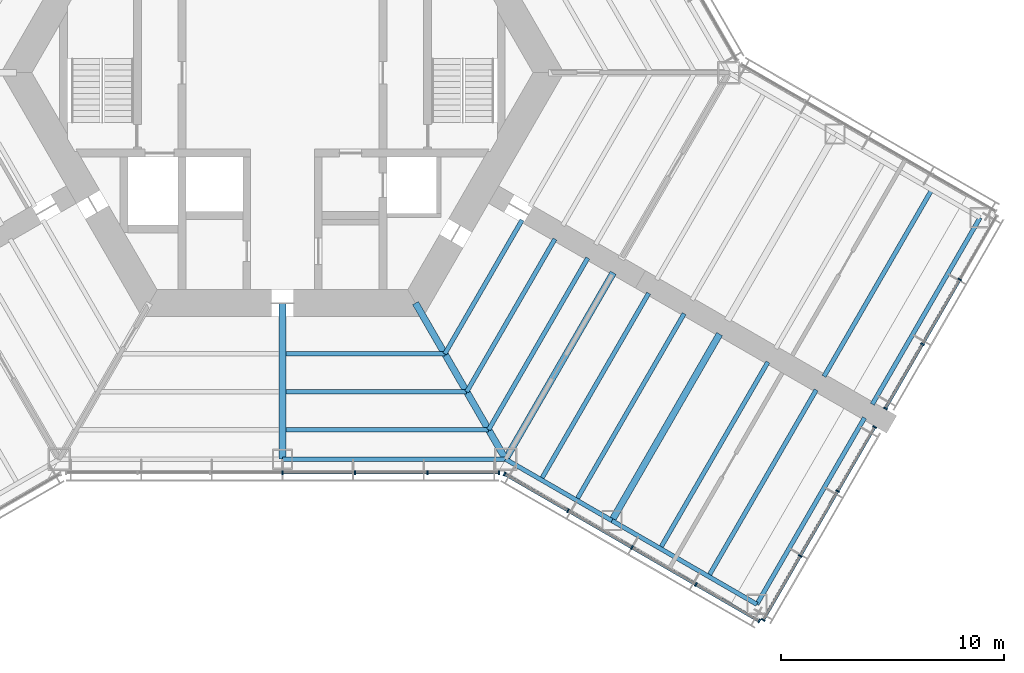
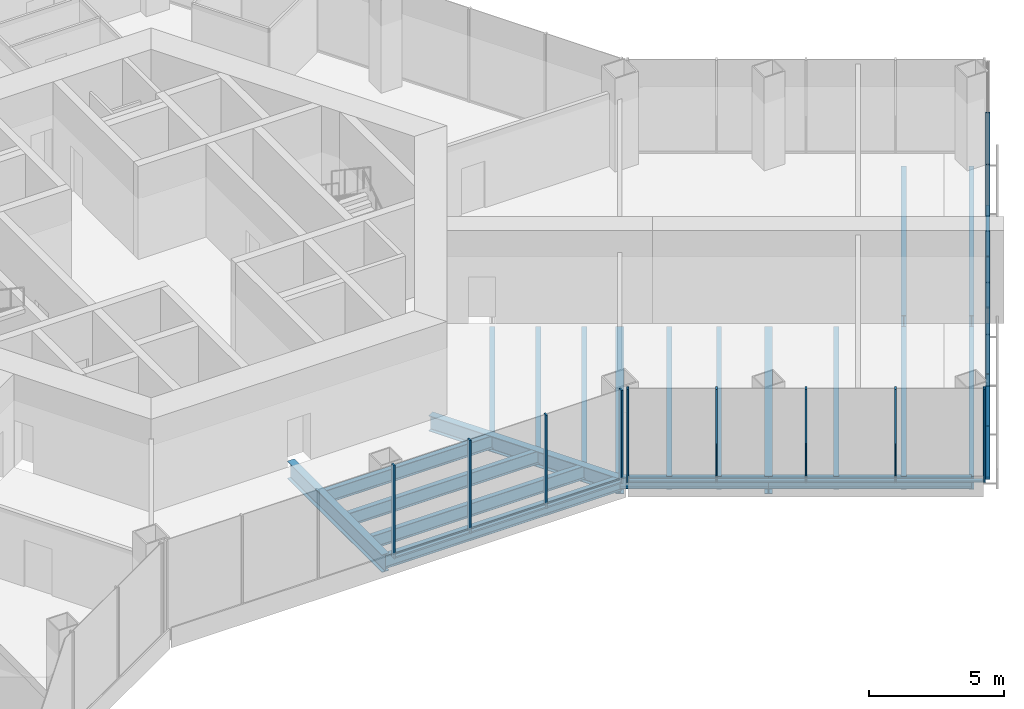
# One storey, part 4 of 16: 28 members, 20 beams, 4 elements without a shape of their own.
"""IFC4 building model written with IfcOpenShell, lengths in metres."""

from ifc_helpers import new_model, si_unit, direction, frame, origin, origin_2d, place, context, subcontext, project, spatial, rectangle, i_section, extrude, material, material_profile, profile_set, type_object, element, aggregate, save


model = new_model("IFC4")

# Units and contexts
model_context = context("Model", 3, precision=1e-05, world=origin(), true_north=direction((0.0, 1.0)))
body_context = subcontext(model_context, "Body", "Model", "MODEL_VIEW")
ifc_project = project(units=[si_unit("LENGTHUNIT", "METRE"), si_unit("AREAUNIT", "SQUARE_METRE"), si_unit("VOLUMEUNIT", "CUBIC_METRE"), si_unit("PLANEANGLEUNIT", "RADIAN"), si_unit("MASSUNIT", "GRAM", prefix="KILO")], contexts=[model_context])

# Site, building, storey
site_placement = place(None, origin())
site = spatial("IfcSite", under=ifc_project, at=site_placement, CompositionType="ELEMENT")
building_placement = place(site_placement, origin())
building = spatial("IfcBuilding", under=site, at=building_placement, Name="Kasaneha Research Tower", CompositionType="ELEMENT")
storey_placement = place(building_placement, frame((0.0, 0.0, 18.39990234375)))
storey = spatial("IfcBuildingStorey", under=building, at=storey_placement, Name="L05", CompositionType="ELEMENT", Elevation=18.39990234375)

# Beams
ifc_material_1 = material(Name="Steel SN490B", Category="steel")
ifc_material_profile_1 = material_profile(ifc_material_1, i_section(OverallWidth=0.199951171875, OverallDepth=0.60009765625, WebThickness=0.010986328125, FlangeThickness=0.01708984375, FilletRadius=0.012939453125, at=origin_2d()), Name="H-600x200x11x17")
ifc_profile_set_1 = profile_set([ifc_material_profile_1], Name="Steel SN490B")
beam_type_1 = type_object("IfcBeamType", Name="B1-1 secondary beam H-600x200x11x17", PredefinedType="JOIST", material=ifc_profile_set_1)
beam_1_placement = place(storey_placement, frame((7.274658203125, -12.60009765625, -0.5), z_axis=(-1.0, 0.0, 0.0), x_axis=(0.0, -1.0, 0.0)))
element("IfcBeam", 1, at=beam_1_placement, inside=storey, type_object=beam_type_1, Name="Secondary beam RS270R1 L05", PredefinedType="JOIST", context=body_context, shape_type="SweptSolid", body=[
    extrude(i_section(OverallWidth=0.199951171875, OverallDepth=0.60009765625, WebThickness=0.010986328125, FlangeThickness=0.01708984375, FilletRadius=0.012939453125, at=origin_2d()), origin(), (0.0, 0.0, 1.0), 7.124755859375),
])
beam_2_placement = place(storey_placement, frame((8.256103515625, -14.300048828125, -0.5), z_axis=(-1.0, 0.0, 0.0), x_axis=(0.0, -1.0, 0.0)))
element("IfcBeam", 2, at=beam_2_placement, inside=storey, type_object=beam_type_1, Name="Secondary beam RS270R2 L05", PredefinedType="JOIST", context=body_context, shape_type="SweptSolid", body=[
    extrude(i_section(OverallWidth=0.199951171875, OverallDepth=0.60009765625, WebThickness=0.010986328125, FlangeThickness=0.01708984375, FilletRadius=0.012939453125, at=origin_2d()), origin(), (0.0, 0.0, 1.0), 8.106201171875),
])
beam_3_placement = place(storey_placement, frame((9.237548828125, -16.0, -0.5), z_axis=(-1.0, 0.0, 0.0), x_axis=(0.0, -1.0, 0.0)))
element("IfcBeam", 3, at=beam_3_placement, inside=storey, type_object=beam_type_1, Name="Secondary beam RS270R3 L05", PredefinedType="JOIST", context=body_context, shape_type="SweptSolid", body=[
    extrude(i_section(OverallWidth=0.199951171875, OverallDepth=0.60009765625, WebThickness=0.010986328125, FlangeThickness=0.01708984375, FilletRadius=0.012939453125, at=origin_2d()), origin(), (0.0, 0.0, 1.0), 9.087646484375),
])
beam_4_placement = place(storey_placement, frame((7.274658203125, -12.60009765625, -0.5), z_axis=(0.499972710878, 0.866041158593, 0.0), x_axis=(-0.866041158593, 0.499972710878, 0.0)))
element("IfcBeam", 4, at=beam_4_placement, inside=storey, type_object=beam_type_1, Name="Secondary beam RS330L1 L05", PredefinedType="JOIST", context=body_context, shape_type="SweptSolid", body=[
    extrude(i_section(OverallWidth=0.199951171875, OverallDepth=0.60009765625, WebThickness=0.010986328125, FlangeThickness=0.01708984375, FilletRadius=0.012939453125, at=origin_2d()), origin(), (0.0, 0.0, 1.0), 6.9248046875),
])
beam_5_placement = place(storey_placement, frame((8.256103515625, -14.300048828125, -0.5), z_axis=(0.500004902938, 0.866022573054, 0.0), x_axis=(-0.866022573054, 0.500004902938, 0.0)))
element("IfcBeam", 5, at=beam_5_placement, inside=storey, type_object=beam_type_1, Name="Secondary beam RS330L2 L05", PredefinedType="JOIST", context=body_context, shape_type="SweptSolid", body=[
    extrude(i_section(OverallWidth=0.199951171875, OverallDepth=0.60009765625, WebThickness=0.010986328125, FlangeThickness=0.01708984375, FilletRadius=0.012939453125, at=origin_2d()), origin(), (0.0, 0.0, 1.0), 7.90625),
])
beam_6_placement = place(storey_placement, frame((9.237548828125, -16.0, -0.5), z_axis=(0.500009382636, 0.866019986649, 0.0), x_axis=(-0.866019986649, 0.500009382636, 0.0)))
element("IfcBeam", 6, at=beam_6_placement, inside=storey, type_object=beam_type_1, Name="Secondary beam RS330L3 L05", PredefinedType="JOIST", context=body_context, shape_type="SweptSolid", body=[
    extrude(i_section(OverallWidth=0.199951171875, OverallDepth=0.60009765625, WebThickness=0.010986328125, FlangeThickness=0.01708984375, FilletRadius=0.012939453125, at=origin_2d()), origin(), (0.0, 0.0, 1.0), 8.887451171875),
])
ifc_material_2 = material(Name="Steel SN490B", Category="steel")
ifc_material_profile_2 = material_profile(ifc_material_2, i_section(OverallWidth=0.198974609375, OverallDepth=0.595947265625, WebThickness=0.010009765625, FlangeThickness=0.014892578125, FilletRadius=0.012939453125, at=origin_2d()), Name="H-596x199x10x15")
ifc_profile_set_2 = profile_set([ifc_material_profile_2], Name="Steel SN490B")
beam_type_2 = type_object("IfcBeamType", Name="B2-1 secondary beam H-596x199x10x15", PredefinedType="JOIST", material=ifc_profile_set_2)
for number, where, z_axis, x_axis, name in (
    (7, (11.587646484375, -18.237060546875, -0.497802734375), (0.50000569793, 0.866022114058, 0.0), (-0.866022114058, 0.50000569793, 0.0), "Secondary beam WBCP1 L05"),
    (8, (13.175537109375, -19.15380859375, -0.497802734375), (0.499994742786, 0.866028439017, 0.0), (-0.866028439017, 0.499994742786, 0.0), "Secondary beam WBCP2 L05"),
    (9, (16.92822265625, -21.320556640625, -0.497802734375), (0.499994742786, 0.866028439017, 0.0), (-0.866028439017, 0.499994742786, 0.0), "Secondary beam WBCP3 L05"),
    (10, (19.09326171875, -22.570556640625, -0.497802734375), (0.499994742786, 0.866028439017, 0.0), (-0.866028439017, 0.499994742786, 0.0), "Secondary beam WBCP4 L05"),
    (11, (29.09326171875, -5.25, -0.497802734375), (-0.499994742786, -0.866028439017, 0.0), (0.866028439017, -0.499994742786, 0.0), "Secondary beam WBCN4 L05"),
):
    element("IfcBeam", number, at=place(storey_placement, frame(where, z_axis=z_axis, x_axis=x_axis)), inside=storey, type_object=beam_type_2, Name=name, PredefinedType="JOIST", context=body_context, shape_type="SweptSolid", body=[
        extrude(i_section(OverallWidth=0.198974609375, OverallDepth=0.595947265625, WebThickness=0.010009765625, FlangeThickness=0.014892578125, FilletRadius=0.012939453125, at=origin_2d()), origin(), (0.0, 0.0, 1.0), 9.64990234375),
    ])

# Curtain wall, members
ifc_material_3 = material(Name="Glass and aluminium", Category="aluminium")
curtain_wall_type = type_object("IfcCurtainWallType", Name="Wet laboratory curtain wall", PredefinedType="USERDEFINED", material=ifc_material_3)
curtain_wall_1_placement = place(storey_placement, origin())
curtain_wall_1 = element("IfcCurtainWall", 12, at=curtain_wall_1_placement, inside=storey, type_object=curtain_wall_type, Name="CW-L1 L05 run 02a", ObjectType="UNITISED CURTAIN WALL", PredefinedType="USERDEFINED")
ifc_material_4 = material(Name="Aluminium 6063-T6", Category="aluminium")
ifc_material_profile_3 = material_profile(ifc_material_4, rectangle(XDim=0.06494140625, YDim=0.179931640625, at=origin_2d()), Name="CW-L1 mullion 65x180")
ifc_profile_set_3 = profile_set([ifc_material_profile_3], Name="Aluminium 6063-T6")
member_type_1 = type_object("IfcMemberType", Name="CW-L1 mullion", PredefinedType="MULLION", material=ifc_profile_set_3)
member_1_placement = place(storey_placement, frame((0.0, -17.92041015625, 0.0), z_axis=(0.0, 0.0, 1.0), x_axis=(1.0, 0.0, 0.0)))
member_1 = element("IfcMember", 13, at=member_1_placement, type_object=member_type_1, Name="CW-L1 mullion 4", PredefinedType="MULLION", context=body_context, shape_type="SweptSolid", body=[
    extrude(rectangle(XDim=0.06494140625, YDim=0.179931640625, at=origin_2d()), origin(), (0.0, 0.0, 1.0), 4.2001953125),
])
member_2_placement = place(storey_placement, frame((3.246337890625, -17.92041015625, 0.0), z_axis=(0.0, 0.0, 1.0), x_axis=(1.0, 0.0, 0.0)))
member_2 = element("IfcMember", 14, at=member_2_placement, type_object=member_type_1, Name="CW-L1 mullion 5", PredefinedType="MULLION", context=body_context, shape_type="SweptSolid", body=[
    extrude(rectangle(XDim=0.06494140625, YDim=0.179931640625, at=origin_2d()), origin(), (0.0, 0.0, 1.0), 4.2001953125),
])
member_3_placement = place(storey_placement, frame((6.492919921875, -17.92041015625, 0.0), z_axis=(0.0, 0.0, 1.0), x_axis=(1.0, 0.0, 0.0)))
member_3 = element("IfcMember", 15, at=member_3_placement, type_object=member_type_1, Name="CW-L1 mullion 6", PredefinedType="MULLION", context=body_context, shape_type="SweptSolid", body=[
    extrude(rectangle(XDim=0.06494140625, YDim=0.179931640625, at=origin_2d()), origin(), (0.0, 0.0, 1.0), 4.2001953125),
])
member_4_placement = place(storey_placement, frame((9.706787109375, -17.92041015625, 0.0), z_axis=(0.0, 0.0, 1.0), x_axis=(1.0, 0.0, 0.0)))
member_4 = element("IfcMember", 16, at=member_4_placement, type_object=member_type_1, Name="CW-L1 mullion 7", PredefinedType="MULLION", context=body_context, shape_type="SweptSolid", body=[
    extrude(rectangle(XDim=0.06494140625, YDim=0.179931640625, at=origin_2d()), origin(), (0.0, 0.0, 1.0), 4.2001953125),
])

curtain_wall_2_placement = place(storey_placement, origin())
curtain_wall_2 = element("IfcCurtainWall", 17, at=curtain_wall_2_placement, inside=storey, type_object=curtain_wall_type, Name="CW-L1 L05 run 03a", ObjectType="UNITISED CURTAIN WALL", PredefinedType="USERDEFINED")
member_5_placement = place(storey_placement, frame((9.953857421875, -17.98681640625, 0.0), z_axis=(0.0, 0.0, 1.0), x_axis=(0.866025411464, -0.499999986699, 0.0)))
member_5 = element("IfcMember", 18, at=member_5_placement, type_object=member_type_1, Name="CW-L1 mullion 1", PredefinedType="MULLION", context=body_context, shape_type="SweptSolid", body=[
    extrude(rectangle(XDim=0.06494140625, YDim=0.179931640625, at=origin_2d()), origin(), (0.0, 0.0, 1.0), 4.2001953125),
])
member_6_placement = place(storey_placement, frame((12.792236328125, -19.62548828125, 0.0), z_axis=(0.0, 0.0, 1.0), x_axis=(0.866025411464, -0.499999986699, 0.0)))
member_6 = element("IfcMember", 19, at=member_6_placement, type_object=member_type_1, Name="CW-L1 mullion 2", PredefinedType="MULLION", context=body_context, shape_type="SweptSolid", body=[
    extrude(rectangle(XDim=0.06494140625, YDim=0.179931640625, at=origin_2d()), origin(), (0.0, 0.0, 1.0), 4.2001953125),
])
member_7_placement = place(storey_placement, frame((15.65869140625, -21.2802734375, 0.0), z_axis=(0.0, 0.0, 1.0), x_axis=(0.866025411464, -0.499999986699, 0.0)))
member_7 = element("IfcMember", 20, at=member_7_placement, type_object=member_type_1, Name="CW-L1 mullion 3", PredefinedType="MULLION", context=body_context, shape_type="SweptSolid", body=[
    extrude(rectangle(XDim=0.06494140625, YDim=0.179931640625, at=origin_2d()), origin(), (0.0, 0.0, 1.0), 4.2001953125),
])
member_8_placement = place(storey_placement, frame((18.52490234375, -22.935302734375, 0.0), z_axis=(0.0, 0.0, 1.0), x_axis=(0.866025411464, -0.499999986699, 0.0)))
member_8 = element("IfcMember", 21, at=member_8_placement, type_object=member_type_1, Name="CW-L1 mullion 4", PredefinedType="MULLION", context=body_context, shape_type="SweptSolid", body=[
    extrude(rectangle(XDim=0.06494140625, YDim=0.179931640625, at=origin_2d()), origin(), (0.0, 0.0, 1.0), 4.2001953125),
])
member_9_placement = place(storey_placement, frame((21.36328125, -24.573974609375, 0.0), z_axis=(0.0, 0.0, 1.0), x_axis=(0.866025411464, -0.499999986699, 0.0)))
member_9 = element("IfcMember", 22, at=member_9_placement, type_object=member_type_1, Name="CW-L1 mullion 5", PredefinedType="MULLION", context=body_context, shape_type="SweptSolid", body=[
    extrude(rectangle(XDim=0.06494140625, YDim=0.179931640625, at=origin_2d()), origin(), (0.0, 0.0, 1.0), 4.2001953125),
])

curtain_wall_3_placement = place(storey_placement, origin())
curtain_wall_3 = element("IfcCurtainWall", 23, at=curtain_wall_3_placement, inside=storey, type_object=curtain_wall_type, Name="CW-L1 L05 run 04a", ObjectType="UNITISED CURTAIN WALL", PredefinedType="USERDEFINED")
member_10_placement = place(storey_placement, frame((21.544189453125, -24.525390625, 0.0), z_axis=(0.0, 0.0, 1.0), x_axis=(0.500000011442, 0.866025397178, 0.0)))
member_10 = element("IfcMember", 24, at=member_10_placement, type_object=member_type_1, Name="CW-L1 mullion 1", PredefinedType="MULLION", context=body_context, shape_type="SweptSolid", body=[
    extrude(rectangle(XDim=0.06494140625, YDim=0.179931640625, at=origin_2d()), origin(), (0.0, 0.0, 1.0), 4.2001953125),
])
member_11_placement = place(storey_placement, frame((23.202880859375, -21.65234375, 0.0), z_axis=(0.0, 0.0, 1.0), x_axis=(0.500000011442, 0.866025397178, 0.0)))
member_11 = element("IfcMember", 25, at=member_11_placement, type_object=member_type_1, Name="CW-L1 mullion 2", PredefinedType="MULLION", context=body_context, shape_type="SweptSolid", body=[
    extrude(rectangle(XDim=0.06494140625, YDim=0.179931640625, at=origin_2d()), origin(), (0.0, 0.0, 1.0), 4.2001953125),
])
member_12_placement = place(storey_placement, frame((24.8779296875, -18.751220703125, 0.0), z_axis=(0.0, 0.0, 1.0), x_axis=(0.500000011442, 0.866025397178, 0.0)))
member_12 = element("IfcMember", 26, at=member_12_placement, type_object=member_type_1, Name="CW-L1 mullion 3", PredefinedType="MULLION", context=body_context, shape_type="SweptSolid", body=[
    extrude(rectangle(XDim=0.06494140625, YDim=0.179931640625, at=origin_2d()), origin(), (0.0, 0.0, 1.0), 4.2001953125),
])
member_13_placement = place(storey_placement, frame((26.53662109375, -15.878173828125, 0.0), z_axis=(0.0, 0.0, 1.0), x_axis=(0.500000011442, 0.866025397178, 0.0)))
member_13 = element("IfcMember", 27, at=member_13_placement, type_object=member_type_1, Name="CW-L1 mullion 4", PredefinedType="MULLION", context=body_context, shape_type="SweptSolid", body=[
    extrude(rectangle(XDim=0.06494140625, YDim=0.179931640625, at=origin_2d()), origin(), (0.0, 0.0, 1.0), 4.2001953125),
])

curtain_wall_4_placement = place(storey_placement, origin())
curtain_wall_4 = element("IfcCurtainWall", 28, at=curtain_wall_4_placement, inside=storey, type_object=curtain_wall_type, Name="CW-L1 L05 run 05a", ObjectType="UNITISED CURTAIN WALL", PredefinedType="USERDEFINED")
member_14_placement = place(storey_placement, frame((27.019287109375, -15.04248046875, 0.0), z_axis=(0.0, 0.0, 1.0), x_axis=(0.500000011442, 0.866025397178, 0.0)))
member_14 = element("IfcMember", 29, at=member_14_placement, type_object=member_type_1, Name="CW-L1 mullion 1", PredefinedType="MULLION", context=body_context, shape_type="SweptSolid", body=[
    extrude(rectangle(XDim=0.06494140625, YDim=0.179931640625, at=origin_2d()), origin(), (0.0, 0.0, 1.0), 4.2001953125),
])
member_15_placement = place(storey_placement, frame((28.677978515625, -12.16943359375, 0.0), z_axis=(0.0, 0.0, 1.0), x_axis=(0.500000011442, 0.866025397178, 0.0)))
member_15 = element("IfcMember", 30, at=member_15_placement, type_object=member_type_1, Name="CW-L1 mullion 2", PredefinedType="MULLION", context=body_context, shape_type="SweptSolid", body=[
    extrude(rectangle(XDim=0.06494140625, YDim=0.179931640625, at=origin_2d()), origin(), (0.0, 0.0, 1.0), 4.2001953125),
])
member_16_placement = place(storey_placement, frame((30.35302734375, -9.26806640625, 0.0), z_axis=(0.0, 0.0, 1.0), x_axis=(0.500000011442, 0.866025397178, 0.0)))
member_16 = element("IfcMember", 31, at=member_16_placement, type_object=member_type_1, Name="CW-L1 mullion 3", PredefinedType="MULLION", context=body_context, shape_type="SweptSolid", body=[
    extrude(rectangle(XDim=0.06494140625, YDim=0.179931640625, at=origin_2d()), origin(), (0.0, 0.0, 1.0), 4.2001953125),
])

# Member
ifc_material_5 = material(Name="Aluminium 6063-T6", Category="aluminium")
ifc_material_profile_4 = material_profile(ifc_material_5, rectangle(XDim=0.139892578125, YDim=0.06494140625, at=origin_2d()), Name="CW-L1 transom 140x65")
ifc_profile_set_4 = profile_set([ifc_material_profile_4], Name="Aluminium 6063-T6")
member_type_2 = type_object("IfcMemberType", Name="CW-L1 transom", PredefinedType="USERDEFINED", material=ifc_profile_set_4)
member_17_placement = place(storey_placement, frame((0.032470703125, -17.92041015625, 0.03271484375), z_axis=(1.0, 0.0, 0.0), x_axis=(0.0, 1.0, 0.0)))
member_17 = element("IfcMember", 32, at=member_17_placement, type_object=member_type_2, Name="CW-L1 transom 4", ObjectType="TRANSOM", PredefinedType="USERDEFINED", context=body_context, shape_type="SweptSolid", body=[
    extrude(rectangle(XDim=0.139892578125, YDim=0.06494140625, at=origin_2d()), origin(), (0.0, 0.0, 1.0), 3.181396484375),
])

member_18_placement = place(storey_placement, frame((3.27880859375, -17.92041015625, 0.03271484375), z_axis=(1.0, 0.0, 0.0), x_axis=(0.0, 1.0, 0.0)))
member_18 = element("IfcMember", 33, at=member_18_placement, type_object=member_type_2, Name="CW-L1 transom 5", ObjectType="TRANSOM", PredefinedType="USERDEFINED", context=body_context, shape_type="SweptSolid", body=[
    extrude(rectangle(XDim=0.139892578125, YDim=0.06494140625, at=origin_2d()), origin(), (0.0, 0.0, 1.0), 3.181396484375),
])

member_19_placement = place(storey_placement, frame((6.525390625, -17.92041015625, 0.03271484375), z_axis=(1.0, 0.0, 0.0), x_axis=(0.0, 1.0, 0.0)))
member_19 = element("IfcMember", 34, at=member_19_placement, type_object=member_type_2, Name="CW-L1 transom 6", ObjectType="TRANSOM", PredefinedType="USERDEFINED", context=body_context, shape_type="SweptSolid", body=[
    extrude(rectangle(XDim=0.139892578125, YDim=0.06494140625, at=origin_2d()), origin(), (0.0, 0.0, 1.0), 3.14892578125),
])

aggregate(curtain_wall_1, [member_1, member_2, member_3, member_4, member_17, member_18, member_19])

member_20_placement = place(storey_placement, frame((9.982177734375, -18.0029296875, 0.03271484375), z_axis=(0.866022320763, -0.500005339912, 0.0), x_axis=(0.500005339912, 0.866022320763, 0.0)))
member_20 = element("IfcMember", 35, at=member_20_placement, type_object=member_type_2, Name="CW-L1 transom 1", ObjectType="TRANSOM", PredefinedType="USERDEFINED", context=body_context, shape_type="SweptSolid", body=[
    extrude(rectangle(XDim=0.139892578125, YDim=0.06494140625, at=origin_2d()), origin(), (0.0, 0.0, 1.0), 3.21240234375),
])

member_21_placement = place(storey_placement, frame((12.8203125, -19.6416015625, 0.03271484375), z_axis=(0.866002649306, -0.500039409842, 0.0), x_axis=(0.500039409842, 0.866002649306, 0.0)))
member_21 = element("IfcMember", 36, at=member_21_placement, type_object=member_type_2, Name="CW-L1 transom 2", ObjectType="TRANSOM", PredefinedType="USERDEFINED", context=body_context, shape_type="SweptSolid", body=[
    extrude(rectangle(XDim=0.139892578125, YDim=0.06494140625, at=origin_2d()), origin(), (0.0, 0.0, 1.0), 3.244873046875),
])

member_22_placement = place(storey_placement, frame((15.686767578125, -21.296630859375, 0.03271484375), z_axis=(0.866035229914, -0.499982980259, 0.0), x_axis=(0.499982980259, 0.866035229914, 0.0)))
member_22 = element("IfcMember", 37, at=member_22_placement, type_object=member_type_2, Name="CW-L1 transom 3", ObjectType="TRANSOM", PredefinedType="USERDEFINED", context=body_context, shape_type="SweptSolid", body=[
    extrude(rectangle(XDim=0.139892578125, YDim=0.06494140625, at=origin_2d()), origin(), (0.0, 0.0, 1.0), 3.24462890625),
])

member_23_placement = place(storey_placement, frame((18.55322265625, -22.951416015625, 0.03271484375), z_axis=(0.86600331843, -0.500038251005, 0.0), x_axis=(0.500038251005, 0.86600331843, 0.0)))
member_23 = element("IfcMember", 38, at=member_23_placement, type_object=member_type_2, Name="CW-L1 transom 4", ObjectType="TRANSOM", PredefinedType="USERDEFINED", context=body_context, shape_type="SweptSolid", body=[
    extrude(rectangle(XDim=0.139892578125, YDim=0.06494140625, at=origin_2d()), origin(), (0.0, 0.0, 1.0), 3.212158203125),
])

aggregate(curtain_wall_2, [member_5, member_6, member_7, member_8, member_9, member_20, member_21, member_22, member_23])

member_24_placement = place(storey_placement, frame((21.560546875, -24.497314453125, 0.03271484375), z_axis=(0.499973687205, 0.866040594951, 0.0), x_axis=(-0.866040594951, 0.499973687205, 0.0)))
member_24 = element("IfcMember", 39, at=member_24_placement, type_object=member_type_2, Name="CW-L1 transom 1", ObjectType="TRANSOM", PredefinedType="USERDEFINED", context=body_context, shape_type="SweptSolid", body=[
    extrude(rectangle(XDim=0.139892578125, YDim=0.06494140625, at=origin_2d()), origin(), (0.0, 0.0, 1.0), 3.252685546875),
])

member_25_placement = place(storey_placement, frame((23.21923828125, -21.624267578125, 0.03271484375), z_axis=(0.50000765355, 0.86602098496, 0.0), x_axis=(-0.86602098496, 0.50000765355, 0.0)))
member_25 = element("IfcMember", 40, at=member_25_placement, type_object=member_type_2, Name="CW-L1 transom 2", ObjectType="TRANSOM", PredefinedType="USERDEFINED", context=body_context, shape_type="SweptSolid", body=[
    extrude(rectangle(XDim=0.139892578125, YDim=0.06494140625, at=origin_2d()), origin(), (0.0, 0.0, 1.0), 3.28515625),
])

member_26_placement = place(storey_placement, frame((24.894287109375, -18.722900390625, 0.03271484375), z_axis=(0.500006189695, 0.866021830133, 0.0), x_axis=(-0.866021830133, 0.500006189695, 0.0)))
member_26 = element("IfcMember", 41, at=member_26_placement, type_object=member_type_2, Name="CW-L1 transom 3", ObjectType="TRANSOM", PredefinedType="USERDEFINED", context=body_context, shape_type="SweptSolid", body=[
    extrude(rectangle(XDim=0.139892578125, YDim=0.06494140625, at=origin_2d()), origin(), (0.0, 0.0, 1.0), 3.25244140625),
])

aggregate(curtain_wall_3, [member_10, member_11, member_12, member_13, member_24, member_25, member_26])

member_27_placement = place(storey_placement, frame((27.035400390625, -15.01416015625, 0.03271484375), z_axis=(0.500006189695, 0.866021830133, 0.0), x_axis=(-0.866021830133, 0.500006189695, 0.0)))
member_27 = element("IfcMember", 42, at=member_27_placement, type_object=member_type_2, Name="CW-L1 transom 1", ObjectType="TRANSOM", PredefinedType="USERDEFINED", context=body_context, shape_type="SweptSolid", body=[
    extrude(rectangle(XDim=0.139892578125, YDim=0.06494140625, at=origin_2d()), origin(), (0.0, 0.0, 1.0), 3.25244140625),
])

member_28_placement = place(storey_placement, frame((28.694091796875, -12.14111328125, 0.03271484375), z_axis=(0.500039835994, 0.866002403241, 0.0), x_axis=(-0.866002403241, 0.500039835994, 0.0)))
member_28 = element("IfcMember", 43, at=member_28_placement, type_object=member_type_2, Name="CW-L1 transom 2", ObjectType="TRANSOM", PredefinedType="USERDEFINED", context=body_context, shape_type="SweptSolid", body=[
    extrude(rectangle(XDim=0.139892578125, YDim=0.06494140625, at=origin_2d()), origin(), (0.0, 0.0, 1.0), 3.284912109375),
])

aggregate(curtain_wall_4, [member_14, member_15, member_16, member_27, member_28])

# Beams
ifc_material_6 = material(Name="Steel SN490B", Category="steel")
ifc_material_profile_5 = material_profile(ifc_material_6, i_section(OverallWidth=0.300048828125, OverallDepth=0.699951171875, WebThickness=0.012939453125, FlangeThickness=0.02392578125, FilletRadius=0.01806640625, at=origin_2d()), Name="H-700x300x13x24")
ifc_profile_set_5 = profile_set([ifc_material_profile_5], Name="Steel SN490B")
beam_type_3 = type_object("IfcBeamType", Name="G1-1 radial girder H-700x300x13x24", PredefinedType="BEAM", material=ifc_profile_set_5)
beam_7_placement = place(storey_placement, frame((5.961181640625, -10.324951171875, -0.5498046875), z_axis=(0.49999105496, -0.866030568144, 0.0), x_axis=(0.866030568144, 0.49999105496, 0.0)))
element("IfcBeam", 44, at=beam_7_placement, inside=storey, type_object=beam_type_3, Name="Radial girder RV300 L05", PredefinedType="BEAM", context=body_context, shape_type="SweptSolid", body=[
    extrude(i_section(OverallWidth=0.300048828125, OverallDepth=0.699951171875, WebThickness=0.012939453125, FlangeThickness=0.02392578125, FilletRadius=0.01806640625, at=origin_2d()), origin(), (0.0, 0.0, 1.0), 8.077880859375),
])
ifc_material_7 = material(Name="Steel SN490B", Category="steel")
ifc_material_profile_6 = material_profile(ifc_material_7, i_section(OverallWidth=0.300048828125, OverallDepth=0.800048828125, WebThickness=0.013916015625, FlangeThickness=0.02587890625, FilletRadius=0.01806640625, at=origin_2d()), Name="H-800x300x14x26")
ifc_profile_set_6 = profile_set([ifc_material_profile_6], Name="Steel SN490B")
beam_type_4 = type_object("IfcBeamType", Name="G2-1 radial girder H-800x300x14x26", PredefinedType="BEAM", material=ifc_profile_set_6)
beam_8_placement = place(storey_placement, frame((0.0, -10.324951171875, -0.599853515625), z_axis=(0.0, -1.0, 0.0), x_axis=(1.0, 0.0, 0.0)))
element("IfcBeam", 45, at=beam_8_placement, inside=storey, type_object=beam_type_4, Name="Radial girder RM270 L05", PredefinedType="BEAM", context=body_context, shape_type="SweptSolid", body=[
    extrude(i_section(OverallWidth=0.300048828125, OverallDepth=0.800048828125, WebThickness=0.013916015625, FlangeThickness=0.02587890625, FilletRadius=0.01806640625, at=origin_2d()), origin(), (0.0, 0.0, 1.0), 6.99560546875),
])
ifc_material_8 = material(Name="Steel SN490B", Category="steel")
ifc_material_profile_7 = material_profile(ifc_material_8, i_section(OverallWidth=0.300048828125, OverallDepth=0.7919921875, WebThickness=0.013916015625, FlangeThickness=0.02197265625, FilletRadius=0.01806640625, at=origin_2d()), Name="H-792x300x14x22")
ifc_profile_set_7 = profile_set([ifc_material_profile_7], Name="Steel SN490B")
beam_type_5 = type_object("IfcBeamType", Name="G3-1 plate edge girder H-792x300x14x22", PredefinedType="BEAM", material=ifc_profile_set_7)
beam_9_placement = place(storey_placement, frame((10.0, -17.320556640625, -0.595947265625), z_axis=(0.499994742786, 0.866028439017, 0.0), x_axis=(-0.866028439017, 0.499994742786, 0.0)))
element("IfcBeam", 46, at=beam_9_placement, inside=storey, type_object=beam_type_5, Name="Plate edge girder PECP L05", PredefinedType="BEAM", context=body_context, shape_type="SweptSolid", body=[
    extrude(i_section(OverallWidth=0.300048828125, OverallDepth=0.7919921875, WebThickness=0.013916015625, FlangeThickness=0.02197265625, FilletRadius=0.01806640625, at=origin_2d()), origin(), (0.0, 0.0, 1.0), 9.64990234375),
])
ifc_material_9 = material(Name="Steel SN490B", Category="steel")
ifc_material_profile_8 = material_profile(ifc_material_9, i_section(OverallWidth=0.300048828125, OverallDepth=0.800048828125, WebThickness=0.013916015625, FlangeThickness=0.02587890625, FilletRadius=0.01806640625, at=origin_2d()), Name="H-800x300x14x26")
ifc_profile_set_8 = profile_set([ifc_material_profile_8], Name="Steel SN490B")
beam_type_6 = type_object("IfcBeamType", Name="G4-1 wing girder H-800x300x14x26", PredefinedType="BEAM", material=ifc_profile_set_8)
beam_10_placement = place(storey_placement, frame((14.76318359375, -20.070556640625, -0.599853515625), z_axis=(0.499994742786, 0.866028439017, 0.0), x_axis=(-0.866028439017, 0.499994742786, 0.0)))
element("IfcBeam", 47, at=beam_10_placement, inside=storey, type_object=beam_type_6, Name="Wing girder WGCP L05", PredefinedType="BEAM", context=body_context, shape_type="SweptSolid", body=[
    extrude(i_section(OverallWidth=0.300048828125, OverallDepth=0.800048828125, WebThickness=0.013916015625, FlangeThickness=0.02587890625, FilletRadius=0.01806640625, at=origin_2d()), origin(), (0.0, 0.0, 1.0), 9.64990234375),
])
ifc_material_10 = material(Name="Steel SN490B", Category="steel")
ifc_material_profile_9 = material_profile(ifc_material_10, i_section(OverallWidth=0.199951171875, OverallDepth=0.60009765625, WebThickness=0.010986328125, FlangeThickness=0.01708984375, FilletRadius=0.012939453125, at=origin_2d()), Name="H-600x200x11x17")
ifc_profile_set_9 = profile_set([ifc_material_profile_9], Name="Steel SN490B")
beam_type_7 = type_object("IfcBeamType", Name="SB1-1 spandrel beam H-600x200x11x17", PredefinedType="SPANDREL", material=ifc_profile_set_9)
beam_11_placement = place(storey_placement, frame((10.0, -17.320556640625, -0.5), z_axis=(-1.0, 0.0, 0.0), x_axis=(0.0, -1.0, 0.0)))
element("IfcBeam", 48, at=beam_11_placement, inside=storey, type_object=beam_type_7, Name="Spandrel beam SR270R L05", PredefinedType="SPANDREL", context=body_context, shape_type="SweptSolid", body=[
    extrude(i_section(OverallWidth=0.199951171875, OverallDepth=0.60009765625, WebThickness=0.010986328125, FlangeThickness=0.01708984375, FilletRadius=0.012939453125, at=origin_2d()), origin(), (0.0, 0.0, 1.0), 10.0),
])
ifc_material_11 = material(Name="Steel SN490B", Category="steel")
ifc_material_profile_10 = material_profile(ifc_material_11, i_section(OverallWidth=0.199951171875, OverallDepth=0.5, WebThickness=0.010009765625, FlangeThickness=0.01611328125, FilletRadius=0.012939453125, at=origin_2d()), Name="H-500x200x10x16")
ifc_profile_set_10 = profile_set([ifc_material_profile_10], Name="Steel SN490B")
beam_type_8 = type_object("IfcBeamType", Name="SB2-1 spandrel beam H-500x200x10x16", PredefinedType="SPANDREL", material=ifc_profile_set_10)
beam_12_placement = place(storey_placement, frame((10.0, -17.320556640625, -0.449951171875), z_axis=(0.866027397988, -0.499996545922, 0.0), x_axis=(0.499996545922, 0.866027397988, 0.0)))
element("IfcBeam", 49, at=beam_12_placement, inside=storey, type_object=beam_type_8, Name="Spandrel beam WSCP1 L05", PredefinedType="SPANDREL", context=body_context, shape_type="SweptSolid", body=[
    extrude(i_section(OverallWidth=0.199951171875, OverallDepth=0.5, WebThickness=0.010009765625, FlangeThickness=0.01611328125, FilletRadius=0.012939453125, at=origin_2d()), origin(), (0.0, 0.0, 1.0), 5.5),
])
beam_13_placement = place(storey_placement, frame((14.76318359375, -20.070556640625, -0.449951171875), z_axis=(0.866022959057, -0.500004234368, 0.0), x_axis=(0.500004234368, 0.866022959057, 0.0)))
element("IfcBeam", 50, at=beam_13_placement, inside=storey, type_object=beam_type_8, Name="Spandrel beam WSCP2 L05", PredefinedType="SPANDREL", context=body_context, shape_type="SweptSolid", body=[
    extrude(i_section(OverallWidth=0.199951171875, OverallDepth=0.5, WebThickness=0.010009765625, FlangeThickness=0.01611328125, FilletRadius=0.012939453125, at=origin_2d()), origin(), (0.0, 0.0, 1.0), 7.5),
])
ifc_material_12 = material(Name="Steel SN490B", Category="steel")
ifc_material_profile_11 = material_profile(ifc_material_12, i_section(OverallWidth=0.199951171875, OverallDepth=0.60009765625, WebThickness=0.010986328125, FlangeThickness=0.01708984375, FilletRadius=0.012939453125, at=origin_2d()), Name="H-600x200x11x17")
ifc_profile_set_11 = profile_set([ifc_material_profile_11], Name="Steel SN490B")
beam_type_9 = type_object("IfcBeamType", Name="SB3-1 spandrel beam H-600x200x11x17", PredefinedType="SPANDREL", material=ifc_profile_set_11)
for number, where, z_axis, x_axis, name in (
    (51, (21.25830078125, -23.820556640625, -0.5), (0.499994742786, 0.866028439017, 0.0), (-0.866028439017, 0.499994742786, 0.0), "Spandrel beam WTCP L05"),
    (52, (31.25830078125, -6.5, -0.5), (-0.499994742786, -0.866028439017, 0.0), (0.866028439017, -0.499994742786, 0.0), "Spandrel beam WTCN L05"),
):
    element("IfcBeam", number, at=place(storey_placement, frame(where, z_axis=z_axis, x_axis=x_axis)), inside=storey, type_object=beam_type_9, Name=name, PredefinedType="SPANDREL", context=body_context, shape_type="SweptSolid", body=[
        extrude(i_section(OverallWidth=0.199951171875, OverallDepth=0.60009765625, WebThickness=0.010986328125, FlangeThickness=0.01708984375, FilletRadius=0.012939453125, at=origin_2d()), origin(), (0.0, 0.0, 1.0), 9.64990234375),
    ])

save(model, "model.ifc")
